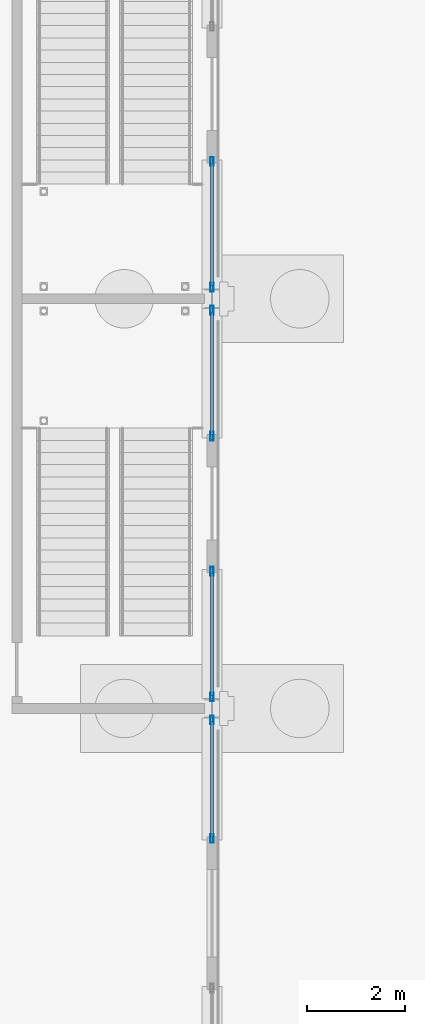
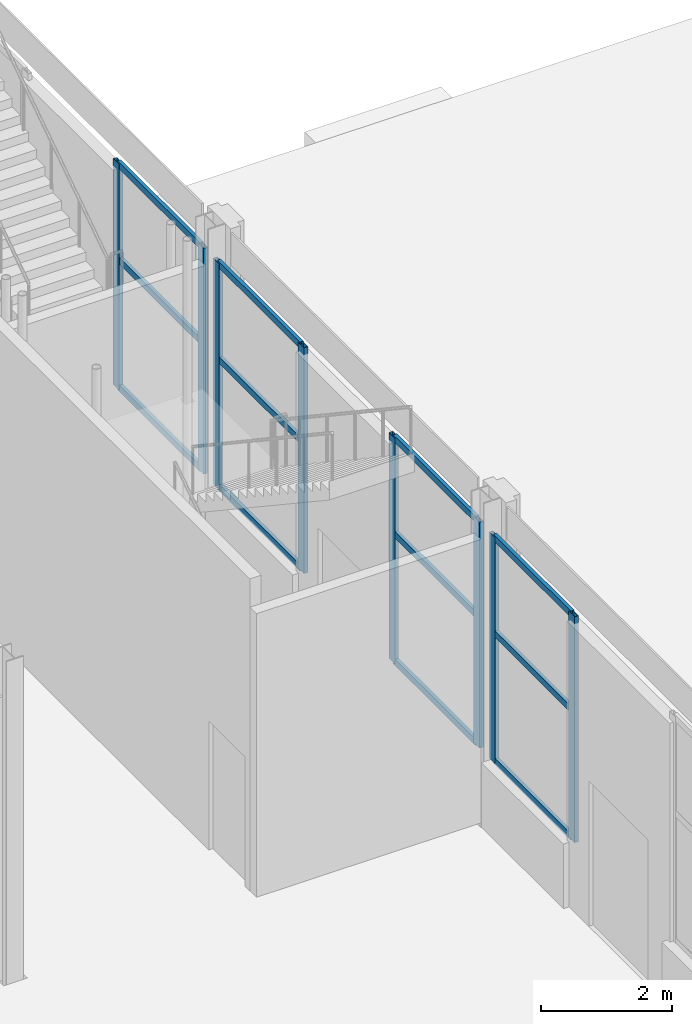
# One storey, part 164 of 212: 20 members, 4 elements without a shape of their own.
"""IFC4 building model written with IfcOpenShell, lengths in metres."""

from ifc_helpers import new_model, si_unit, direction, frame, origin, origin_2d, place, context, subcontext, project, spatial, hollow_rectangle, extrude, material, material_profile, profile_set, type_object, element, aggregate, save


model = new_model("IFC4")

# Units and contexts
model_context = context("Model", 3, precision=1e-05, world=origin(), true_north=direction((0.0, 1.0)))
body_context = subcontext(model_context, "Body", "Model", "MODEL_VIEW")
ifc_project = project(units=[si_unit("LENGTHUNIT", "METRE"), si_unit("AREAUNIT", "SQUARE_METRE"), si_unit("VOLUMEUNIT", "CUBIC_METRE"), si_unit("PLANEANGLEUNIT", "RADIAN"), si_unit("MASSUNIT", "GRAM", prefix="KILO")], contexts=[model_context])

# Site, building, storey
site_placement = place(None, origin())
site = spatial("IfcSite", under=ifc_project, at=site_placement, CompositionType="ELEMENT")
building_placement = place(site_placement, origin())
building = spatial("IfcBuilding", under=site, at=building_placement, Name="Catenary Quay Ferry Terminal", CompositionType="ELEMENT")
storey_placement = place(building_placement, origin())
storey = spatial("IfcBuildingStorey", under=building, at=storey_placement, Name="L00", CompositionType="ELEMENT", Elevation=0.0)

# Curtain wall, members
ifc_material_1 = material(Name="Aluminium and glass", Category="aluminium")
curtain_wall_type = type_object("IfcCurtainWallType", Name="CWW1", PredefinedType="NOTDEFINED", material=ifc_material_1)
curtain_wall_1_placement = place(storey_placement, origin())
curtain_wall_1 = element("IfcCurtainWall", 1, at=curtain_wall_1_placement, inside=storey, type_object=curtain_wall_type, Name="Wing curtain wall CW99", PredefinedType="NOTDEFINED")
ifc_material_2 = material(Name="Aluminium", Category="aluminium")
ifc_material_profile_1 = material_profile(ifc_material_2, hollow_rectangle(XDim=0.070068359375, YDim=0.179931640625, WallThickness=0.006103515625, at=origin_2d()), Name="MU3")
ifc_profile_set_1 = profile_set([ifc_material_profile_1], Name="Aluminium")
member_type_1 = type_object("IfcMemberType", Name="MU3", PredefinedType="MULLION", material=ifc_profile_set_1)
member_1_placement = place(storey_placement, frame((67.199951171875, 190.534912109375, 1.199951171875), z_axis=(0.0, 0.0, 1.0), x_axis=(-1.0, 0.0, 0.0)))
member_1 = element("IfcMember", 2, at=member_1_placement, type_object=member_type_1, Name="CW99 mullion 1", PredefinedType="MULLION", context=body_context, shape_type="SweptSolid", body=[
    extrude(hollow_rectangle(XDim=0.070068359375, YDim=0.179931640625, WallThickness=0.006103515625, at=origin_2d()), origin(), (0.0, 0.0, 1.0), 4.199951171875),
])
member_2_placement = place(storey_placement, frame((67.199951171875, 192.965087890625, 1.199951171875), z_axis=(0.0, 0.0, 1.0), x_axis=(-1.0, 0.0, 0.0)))
member_2 = element("IfcMember", 3, at=member_2_placement, type_object=member_type_1, Name="CW99 mullion 2", PredefinedType="MULLION", context=body_context, shape_type="SweptSolid", body=[
    extrude(hollow_rectangle(XDim=0.070068359375, YDim=0.179931640625, WallThickness=0.006103515625, at=origin_2d()), origin(), (0.0, 0.0, 1.0), 4.199951171875),
])

curtain_wall_2_placement = place(storey_placement, origin())
curtain_wall_2 = element("IfcCurtainWall", 4, at=curtain_wall_2_placement, inside=storey, type_object=curtain_wall_type, Name="Wing curtain wall CW100", PredefinedType="NOTDEFINED")
member_3_placement = place(storey_placement, frame((67.199951171875, 193.43505859375, 1.199951171875), z_axis=(0.0, 0.0, 1.0), x_axis=(-1.0, 0.0, 0.0)))
member_3 = element("IfcMember", 5, at=member_3_placement, type_object=member_type_1, Name="CW100 mullion 1", PredefinedType="MULLION", context=body_context, shape_type="SweptSolid", body=[
    extrude(hollow_rectangle(XDim=0.070068359375, YDim=0.179931640625, WallThickness=0.006103515625, at=origin_2d()), origin(), (0.0, 0.0, 1.0), 4.199951171875),
])
member_4_placement = place(storey_placement, frame((67.199951171875, 196.014892578125, 1.199951171875), z_axis=(0.0, 0.0, 1.0), x_axis=(-1.0, 0.0, 0.0)))
member_4 = element("IfcMember", 6, at=member_4_placement, type_object=member_type_1, Name="CW100 mullion 2", PredefinedType="MULLION", context=body_context, shape_type="SweptSolid", body=[
    extrude(hollow_rectangle(XDim=0.070068359375, YDim=0.179931640625, WallThickness=0.006103515625, at=origin_2d()), origin(), (0.0, 0.0, 1.0), 4.199951171875),
])

curtain_wall_3_placement = place(storey_placement, origin())
curtain_wall_3 = element("IfcCurtainWall", 7, at=curtain_wall_3_placement, inside=storey, type_object=curtain_wall_type, Name="Wing curtain wall CW101", PredefinedType="NOTDEFINED")
member_5_placement = place(storey_placement, frame((67.199951171875, 198.784912109375, 1.199951171875), z_axis=(0.0, 0.0, 1.0), x_axis=(-1.0, 0.0, 0.0)))
member_5 = element("IfcMember", 8, at=member_5_placement, type_object=member_type_1, Name="CW101 mullion 1", PredefinedType="MULLION", context=body_context, shape_type="SweptSolid", body=[
    extrude(hollow_rectangle(XDim=0.070068359375, YDim=0.179931640625, WallThickness=0.006103515625, at=origin_2d()), origin(), (0.0, 0.0, 1.0), 4.199951171875),
])
member_6_placement = place(storey_placement, frame((67.199951171875, 201.364990234375, 1.199951171875), z_axis=(0.0, 0.0, 1.0), x_axis=(-1.0, 0.0, 0.0)))
member_6 = element("IfcMember", 9, at=member_6_placement, type_object=member_type_1, Name="CW101 mullion 2", PredefinedType="MULLION", context=body_context, shape_type="SweptSolid", body=[
    extrude(hollow_rectangle(XDim=0.070068359375, YDim=0.179931640625, WallThickness=0.006103515625, at=origin_2d()), origin(), (0.0, 0.0, 1.0), 4.199951171875),
])

curtain_wall_4_placement = place(storey_placement, origin())
curtain_wall_4 = element("IfcCurtainWall", 10, at=curtain_wall_4_placement, inside=storey, type_object=curtain_wall_type, Name="Wing curtain wall CW102", PredefinedType="NOTDEFINED")
member_7_placement = place(storey_placement, frame((67.199951171875, 201.8349609375, 1.199951171875), z_axis=(0.0, 0.0, 1.0), x_axis=(-1.0, 0.0, 0.0)))
member_7 = element("IfcMember", 11, at=member_7_placement, type_object=member_type_1, Name="CW102 mullion 1", PredefinedType="MULLION", context=body_context, shape_type="SweptSolid", body=[
    extrude(hollow_rectangle(XDim=0.070068359375, YDim=0.179931640625, WallThickness=0.006103515625, at=origin_2d()), origin(), (0.0, 0.0, 1.0), 4.199951171875),
])
member_8_placement = place(storey_placement, frame((67.199951171875, 204.4150390625, 1.199951171875), z_axis=(0.0, 0.0, 1.0), x_axis=(-1.0, 0.0, 0.0)))
member_8 = element("IfcMember", 12, at=member_8_placement, type_object=member_type_1, Name="CW102 mullion 2", PredefinedType="MULLION", context=body_context, shape_type="SweptSolid", body=[
    extrude(hollow_rectangle(XDim=0.070068359375, YDim=0.179931640625, WallThickness=0.006103515625, at=origin_2d()), origin(), (0.0, 0.0, 1.0), 4.199951171875),
])

# Member
ifc_material_3 = material(Name="Aluminium", Category="aluminium")
ifc_material_profile_2 = material_profile(ifc_material_3, hollow_rectangle(XDim=0.06005859375, YDim=0.1201171875, WallThickness=0.0048828125, at=origin_2d()), Name="TR3")
ifc_profile_set_2 = profile_set([ifc_material_profile_2], Name="Aluminium")
member_type_2 = type_object("IfcMemberType", Name="TR3", PredefinedType="USERDEFINED", material=ifc_profile_set_2)
member_9_placement = place(storey_placement, frame((67.199951171875, 190.570068359375, 1.22998046875), z_axis=(0.0, 1.0, 0.0), x_axis=(-1.0, 0.0, 0.0)))
member_9 = element("IfcMember", 13, at=member_9_placement, type_object=member_type_2, Name="CW99 transom 1.1", ObjectType="TRANSOM", PredefinedType="USERDEFINED", context=body_context, shape_type="SweptSolid", body=[
    extrude(hollow_rectangle(XDim=0.06005859375, YDim=0.1201171875, WallThickness=0.0048828125, at=origin_2d()), origin(), (0.0, 0.0, 1.0), 2.35986328125),
])

member_10_placement = place(storey_placement, frame((67.199951171875, 190.570068359375, 3.60009765625), z_axis=(0.0, 1.0, 0.0), x_axis=(-1.0, 0.0, 0.0)))
member_10 = element("IfcMember", 14, at=member_10_placement, type_object=member_type_2, Name="CW99 transom 1.2", ObjectType="TRANSOM", PredefinedType="USERDEFINED", context=body_context, shape_type="SweptSolid", body=[
    extrude(hollow_rectangle(XDim=0.06005859375, YDim=0.1201171875, WallThickness=0.0048828125, at=origin_2d()), origin(), (0.0, 0.0, 1.0), 2.35986328125),
])

member_11_placement = place(storey_placement, frame((67.199951171875, 190.570068359375, 5.3701171875), z_axis=(0.0, 1.0, 0.0), x_axis=(-1.0, 0.0, 0.0)))
member_11 = element("IfcMember", 15, at=member_11_placement, type_object=member_type_2, Name="CW99 transom 1.3", ObjectType="TRANSOM", PredefinedType="USERDEFINED", context=body_context, shape_type="SweptSolid", body=[
    extrude(hollow_rectangle(XDim=0.06005859375, YDim=0.1201171875, WallThickness=0.0048828125, at=origin_2d()), origin(), (0.0, 0.0, 1.0), 2.35986328125),
])

aggregate(curtain_wall_1, [member_1, member_2, member_9, member_10, member_11])

member_12_placement = place(storey_placement, frame((67.199951171875, 193.469970703125, 1.22998046875), z_axis=(0.0, 1.0, 0.0), x_axis=(-1.0, 0.0, 0.0)))
member_12 = element("IfcMember", 16, at=member_12_placement, type_object=member_type_2, Name="CW100 transom 1.1", ObjectType="TRANSOM", PredefinedType="USERDEFINED", context=body_context, shape_type="SweptSolid", body=[
    extrude(hollow_rectangle(XDim=0.06005859375, YDim=0.1201171875, WallThickness=0.0048828125, at=origin_2d()), origin(), (0.0, 0.0, 1.0), 2.510009765625),
])

member_13_placement = place(storey_placement, frame((67.199951171875, 193.469970703125, 3.60009765625), z_axis=(0.0, 1.0, 0.0), x_axis=(-1.0, 0.0, 0.0)))
member_13 = element("IfcMember", 17, at=member_13_placement, type_object=member_type_2, Name="CW100 transom 1.2", ObjectType="TRANSOM", PredefinedType="USERDEFINED", context=body_context, shape_type="SweptSolid", body=[
    extrude(hollow_rectangle(XDim=0.06005859375, YDim=0.1201171875, WallThickness=0.0048828125, at=origin_2d()), origin(), (0.0, 0.0, 1.0), 2.510009765625),
])

member_14_placement = place(storey_placement, frame((67.199951171875, 193.469970703125, 5.3701171875), z_axis=(0.0, 1.0, 0.0), x_axis=(-1.0, 0.0, 0.0)))
member_14 = element("IfcMember", 18, at=member_14_placement, type_object=member_type_2, Name="CW100 transom 1.3", ObjectType="TRANSOM", PredefinedType="USERDEFINED", context=body_context, shape_type="SweptSolid", body=[
    extrude(hollow_rectangle(XDim=0.06005859375, YDim=0.1201171875, WallThickness=0.0048828125, at=origin_2d()), origin(), (0.0, 0.0, 1.0), 2.510009765625),
])

aggregate(curtain_wall_2, [member_3, member_4, member_12, member_13, member_14])

member_15_placement = place(storey_placement, frame((67.199951171875, 198.820068359375, 1.22998046875), z_axis=(0.0, 1.0, 0.0), x_axis=(-1.0, 0.0, 0.0)))
member_15 = element("IfcMember", 19, at=member_15_placement, type_object=member_type_2, Name="CW101 transom 1.1", ObjectType="TRANSOM", PredefinedType="USERDEFINED", context=body_context, shape_type="SweptSolid", body=[
    extrude(hollow_rectangle(XDim=0.06005859375, YDim=0.1201171875, WallThickness=0.0048828125, at=origin_2d()), origin(), (0.0, 0.0, 1.0), 2.510009765625),
])

member_16_placement = place(storey_placement, frame((67.199951171875, 198.820068359375, 3.60009765625), z_axis=(0.0, 1.0, 0.0), x_axis=(-1.0, 0.0, 0.0)))
member_16 = element("IfcMember", 20, at=member_16_placement, type_object=member_type_2, Name="CW101 transom 1.2", ObjectType="TRANSOM", PredefinedType="USERDEFINED", context=body_context, shape_type="SweptSolid", body=[
    extrude(hollow_rectangle(XDim=0.06005859375, YDim=0.1201171875, WallThickness=0.0048828125, at=origin_2d()), origin(), (0.0, 0.0, 1.0), 2.510009765625),
])

member_17_placement = place(storey_placement, frame((67.199951171875, 198.820068359375, 5.3701171875), z_axis=(0.0, 1.0, 0.0), x_axis=(-1.0, 0.0, 0.0)))
member_17 = element("IfcMember", 21, at=member_17_placement, type_object=member_type_2, Name="CW101 transom 1.3", ObjectType="TRANSOM", PredefinedType="USERDEFINED", context=body_context, shape_type="SweptSolid", body=[
    extrude(hollow_rectangle(XDim=0.06005859375, YDim=0.1201171875, WallThickness=0.0048828125, at=origin_2d()), origin(), (0.0, 0.0, 1.0), 2.510009765625),
])

aggregate(curtain_wall_3, [member_5, member_6, member_15, member_16, member_17])

member_18_placement = place(storey_placement, frame((67.199951171875, 201.8701171875, 1.22998046875), z_axis=(0.0, 1.0, 0.0), x_axis=(-1.0, 0.0, 0.0)))
member_18 = element("IfcMember", 22, at=member_18_placement, type_object=member_type_2, Name="CW102 transom 1.1", ObjectType="TRANSOM", PredefinedType="USERDEFINED", context=body_context, shape_type="SweptSolid", body=[
    extrude(hollow_rectangle(XDim=0.06005859375, YDim=0.1201171875, WallThickness=0.0048828125, at=origin_2d()), origin(), (0.0, 0.0, 1.0), 2.509765625),
])

member_19_placement = place(storey_placement, frame((67.199951171875, 201.8701171875, 3.60009765625), z_axis=(0.0, 1.0, 0.0), x_axis=(-1.0, 0.0, 0.0)))
member_19 = element("IfcMember", 23, at=member_19_placement, type_object=member_type_2, Name="CW102 transom 1.2", ObjectType="TRANSOM", PredefinedType="USERDEFINED", context=body_context, shape_type="SweptSolid", body=[
    extrude(hollow_rectangle(XDim=0.06005859375, YDim=0.1201171875, WallThickness=0.0048828125, at=origin_2d()), origin(), (0.0, 0.0, 1.0), 2.509765625),
])

member_20_placement = place(storey_placement, frame((67.199951171875, 201.8701171875, 5.3701171875), z_axis=(0.0, 1.0, 0.0), x_axis=(-1.0, 0.0, 0.0)))
member_20 = element("IfcMember", 24, at=member_20_placement, type_object=member_type_2, Name="CW102 transom 1.3", ObjectType="TRANSOM", PredefinedType="USERDEFINED", context=body_context, shape_type="SweptSolid", body=[
    extrude(hollow_rectangle(XDim=0.06005859375, YDim=0.1201171875, WallThickness=0.0048828125, at=origin_2d()), origin(), (0.0, 0.0, 1.0), 2.509765625),
])

aggregate(curtain_wall_4, [member_7, member_8, member_18, member_19, member_20])

save(model, "model.ifc")
